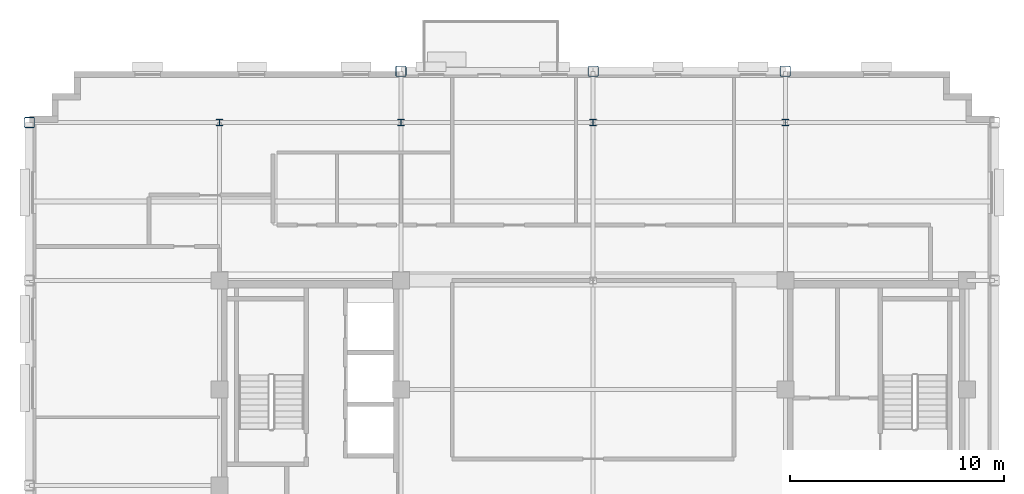
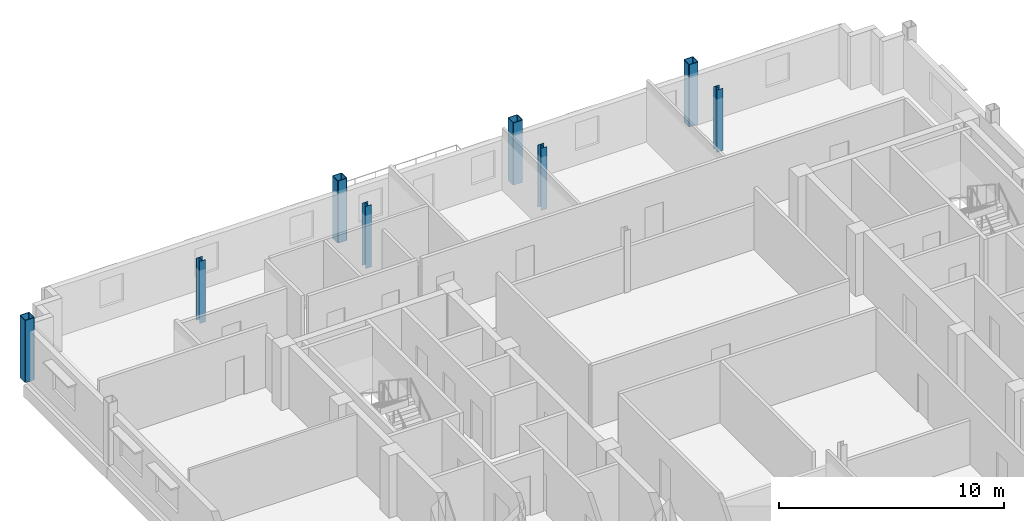
# One storey, part 3 of 14: 8 columns.
"""IFC4 building model written with IfcOpenShell, lengths in metres."""

from ifc_helpers import new_model, si_unit, direction, frame, origin, origin_2d, place, context, subcontext, project, spatial, hollow_rectangle, i_section, extrude, material, material_profile, profile_set, type_object, element, save


model = new_model("IFC4")

# Units and contexts
model_context = context("Model", 3, precision=1e-05, world=origin(), true_north=direction((0.0, 1.0)))
body_context = subcontext(model_context, "Body", "Model", "MODEL_VIEW")
ifc_project = project(units=[si_unit("LENGTHUNIT", "METRE"), si_unit("AREAUNIT", "SQUARE_METRE"), si_unit("VOLUMEUNIT", "CUBIC_METRE"), si_unit("PLANEANGLEUNIT", "RADIAN"), si_unit("MASSUNIT", "GRAM", prefix="KILO")], contexts=[model_context])

# Site, building, storey
site_placement = place(None, origin())
site = spatial("IfcSite", under=ifc_project, at=site_placement, CompositionType="ELEMENT")
building_placement = place(site_placement, origin())
building = spatial("IfcBuilding", under=site, at=building_placement, Name="Nuvemarco Arch Tower", CompositionType="ELEMENT")
storey_placement = place(building_placement, frame((0.0, 0.0, 238.35009765625)))
storey = spatial("IfcBuildingStorey", under=building, at=storey_placement, Name="L63", CompositionType="ELEMENT", Elevation=238.35009765625)

# Columns
ifc_material = material(Name="Steel S355", Category="steel")
ifc_material_profile_1 = material_profile(ifc_material, hollow_rectangle(XDim=0.5, YDim=0.5, WallThickness=0.031982421875, InnerFilletRadius=0.031982421875, OuterFilletRadius=0.06396484375, at=origin_2d()), Name="SHS500x500x32")
ifc_profile_set_1 = profile_set([ifc_material_profile_1], Name="Steel S355")
column_type_1 = type_object("IfcColumnType", Name="COL-EXO-500", PredefinedType="COLUMN", material=ifc_profile_set_1)
for number, where, z_axis, x_axis, name in (
    (1, (-26.39990234375, 17.0, 0.0), (0.0, 0.0, 1.0), (1.0, 0.0, 0.0), "L63 column CX_-26.4_+17.0"),
    (2, (-9.0, 19.39990234375, 0.0), (0.0, 0.0, 1.0), (1.0, 0.0, 0.0), "L63 column CY_-9.0_+19.4"),
    (3, (0.0, 19.39990234375, 0.0), (0.0, 0.0, 1.0), (1.0, 0.0, 0.0), "L63 column CY_+0.0_+19.4"),
    (4, (9.0, 19.39990234375, 0.0), (0.0, 0.0, 1.0), (1.0, 0.0, 0.0), "L63 column CY_+9.0_+19.4"),
):
    element("IfcColumn", number, at=place(storey_placement, frame(where, z_axis=z_axis, x_axis=x_axis)), inside=storey, type_object=column_type_1, Name=name, PredefinedType="COLUMN", context=body_context, shape_type="SweptSolid", body=[
        extrude(hollow_rectangle(XDim=0.5, YDim=0.5, WallThickness=0.031982421875, InnerFilletRadius=0.031982421875, OuterFilletRadius=0.06396484375, at=origin_2d()), origin(), (0.0, 0.0, 1.0), 3.369873046875),
    ])
ifc_material_profile_2 = material_profile(ifc_material, i_section(OverallWidth=0.31005859375, OverallDepth=0.31005859375, WebThickness=0.015380859375, FlangeThickness=0.015380859375, FilletRadius=0.014892578125, at=origin_2d()), Name="HP310x110")
ifc_profile_set_2 = profile_set([ifc_material_profile_2], Name="Steel S355")
column_type_2 = type_object("IfcColumnType", Name="COL-STL-HP310", PredefinedType="COLUMN", material=ifc_profile_set_2)
for number, where, z_axis, x_axis, name in (
    (5, (0.0, 17.0, 0.0), (0.0, 0.0, 1.0), (1.0, 0.0, 0.0), "L63 column CI_+0.0_+17.0"),
    (6, (-17.5, 17.0, 0.0), (0.0, 0.0, 1.0), (1.0, 0.0, 0.0), "L63 column CI_-17.5_+17.0"),
    (7, (-9.0, 17.0, 0.0), (0.0, 0.0, 1.0), (1.0, 0.0, 0.0), "L63 column CI_-9.0_+17.0"),
    (8, (9.0, 17.0, 0.0), (0.0, 0.0, 1.0), (1.0, 0.0, 0.0), "L63 column CI_+9.0_+17.0"),
):
    element("IfcColumn", number, at=place(storey_placement, frame(where, z_axis=z_axis, x_axis=x_axis)), inside=storey, type_object=column_type_2, Name=name, PredefinedType="COLUMN", context=body_context, shape_type="SweptSolid", body=[
        extrude(i_section(OverallWidth=0.31005859375, OverallDepth=0.31005859375, WebThickness=0.015380859375, FlangeThickness=0.015380859375, FilletRadius=0.014892578125, at=origin_2d()), origin(), (0.0, 0.0, 1.0), 3.369873046875),
    ])

save(model, "model.ifc")
